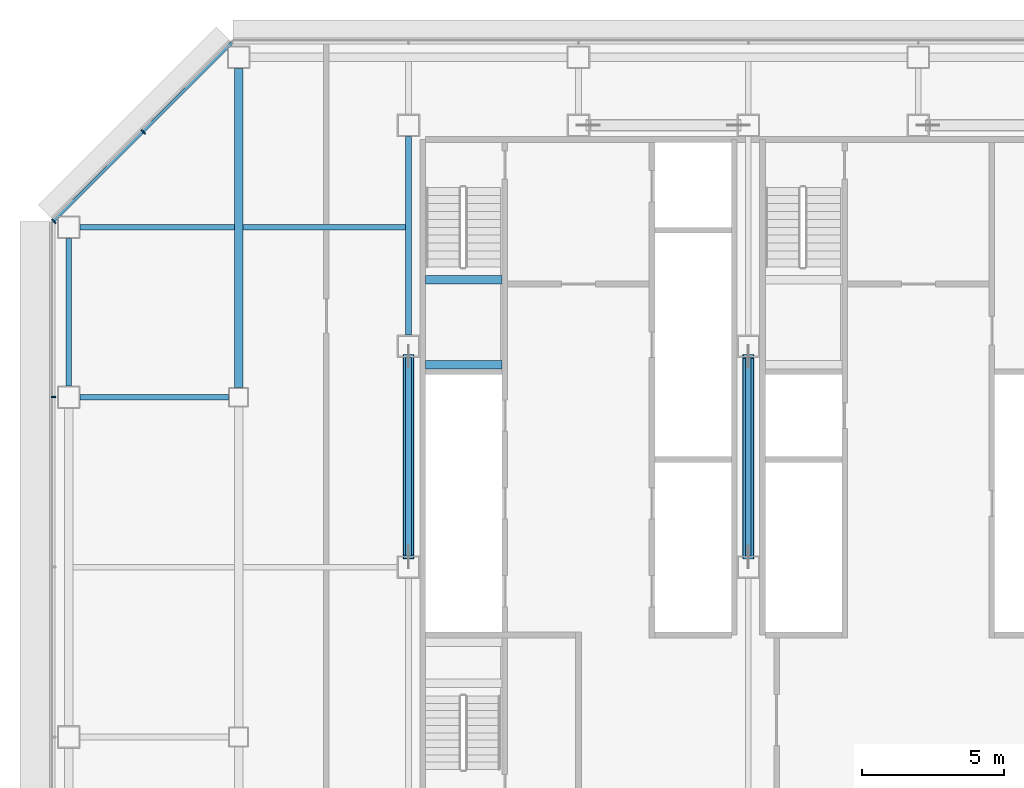
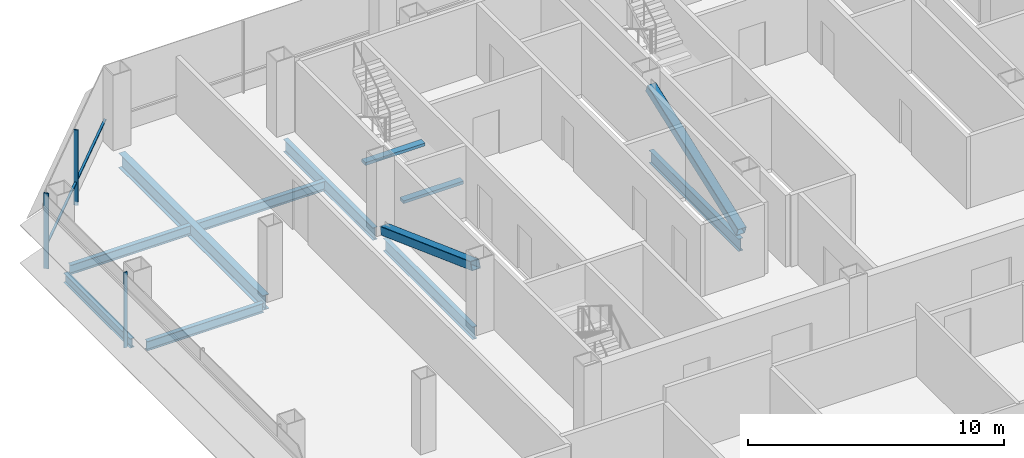
# One storey, part 11 of 25: 10 beams, 6 members, 2 elements without a shape of their own.
"""IFC4 building model written with IfcOpenShell, lengths in metres."""

from ifc_helpers import new_model, si_unit, direction, frame, origin, origin_2d, place, context, subcontext, project, spatial, rectangle, hollow_rectangle, i_section, extrude, material, material_profile, profile_set, type_object, element, aggregate, save


model = new_model("IFC4")

# Units and contexts
model_context = context("Model", 3, precision=1e-05, world=origin(), true_north=direction((0.0, 1.0)))
body_context = subcontext(model_context, "Body", "Model", "MODEL_VIEW")
ifc_project = project(units=[si_unit("LENGTHUNIT", "METRE"), si_unit("AREAUNIT", "SQUARE_METRE"), si_unit("VOLUMEUNIT", "CUBIC_METRE"), si_unit("PLANEANGLEUNIT", "RADIAN"), si_unit("MASSUNIT", "GRAM", prefix="KILO")], contexts=[model_context])

# Site, building, storey
site_placement = place(None, origin())
site = spatial("IfcSite", under=ifc_project, at=site_placement, CompositionType="ELEMENT")
building_placement = place(site_placement, origin())
building = spatial("IfcBuilding", under=site, at=building_placement, Name="Sorahane Residences", CompositionType="ELEMENT")
storey_placement = place(building_placement, frame((0.0, 0.0, 99.800048828125)))
storey = spatial("IfcBuildingStorey", under=building, at=storey_placement, Name="L21", CompositionType="ELEMENT", Elevation=99.800048828125)

# Members
ifc_material_1 = material(Name="Steel Q355B", Category="steel")
ifc_material_profile_1 = material_profile(ifc_material_1, hollow_rectangle(XDim=0.39990234375, YDim=0.39990234375, WallThickness=0.02001953125, InnerFilletRadius=0.010009765625, OuterFilletRadius=0.030029296875, at=origin_2d()), Name="RHS 400x400x20")
ifc_profile_set_1 = profile_set([ifc_material_profile_1], Name="Steel Q355B")
member_type_1 = type_object("IfcMemberType", Name="Core brace RHS 400x400x20 Q355B", PredefinedType="BRACE", material=ifc_profile_set_1)
for number, where, z_axis, x_axis, name in (
    (1, (6.0, 37.44140625, 0.184814453125), (0.0, -0.938733651637, 0.344643484319), (1.0, 0.0, 0.0), "Core brace L21 x6-2"),
    (2, (18.0, 30.358642578125, 0.184814453125), (0.0, 0.938733651637, 0.344643484319), (-1.0, 0.0, 0.0), "Core brace L21 x18-1"),
):
    element("IfcMember", number, at=place(storey_placement, frame(where, z_axis=z_axis, x_axis=x_axis)), inside=storey, type_object=member_type_1, Name=name, PredefinedType="BRACE", context=body_context, shape_type="SweptSolid", body=[
        extrude(hollow_rectangle(XDim=0.39990234375, YDim=0.39990234375, WallThickness=0.02001953125, InnerFilletRadius=0.010009765625, OuterFilletRadius=0.030029296875, at=origin_2d()), origin(), (0.0, 0.0, 1.0), 7.544921875),
    ])

# Curtain wall, member
ifc_material_2 = material(Name="Dark low-e glass and black anodised aluminium", Category="aluminium")
curtain_wall_type_1 = type_object("IfcCurtainWallType", Name="Curtain wall CW-1 Typical unitised wall", PredefinedType="NOTDEFINED", material=ifc_material_2)
curtain_wall_1_placement = place(storey_placement, origin())
curtain_wall_1 = element("IfcCurtainWall", 3, at=curtain_wall_1_placement, inside=storey, type_object=curtain_wall_type_1, Name="CW-1 curtain wall L21 W1", PredefinedType="NOTDEFINED")
ifc_material_3 = material(Name="Black anodised aluminium", Category="aluminium")
ifc_material_profile_2 = material_profile(ifc_material_3, rectangle(XDim=0.159912109375, YDim=0.050048828125, at=origin_2d()), Name="Curtain wall mullion CW-1 black anodised aluminium 50x160")
ifc_profile_set_2 = profile_set([ifc_material_profile_2], Name="Black anodised aluminium")
member_type_2 = type_object("IfcMemberType", Name="Curtain wall mullion CW-1 black anodised aluminium 50x160", PredefinedType="MULLION", material=ifc_profile_set_2)
member_1_placement = place(storey_placement, frame((-6.5400390625, 36.0, -0.179931640625), z_axis=(0.0, 0.0, 1.0), x_axis=(-1.0, 0.0, 0.0)))
member_1 = element("IfcMember", 4, at=member_1_placement, type_object=member_type_2, Name="CW-1 mullion L21 W1.2", PredefinedType="MULLION", context=body_context, shape_type="SweptSolid", body=[
    extrude(rectangle(XDim=0.159912109375, YDim=0.050048828125, at=origin_2d()), origin(), (0.0, 0.0, 1.0), 3.599853515625),
])
aggregate(curtain_wall_1, [member_1])

# Curtain wall, members
ifc_material_4 = material(Name="Dark low-e glass and black anodised aluminium", Category="aluminium")
curtain_wall_type_2 = type_object("IfcCurtainWallType", Name="Curtain wall CW-2 Chamfer unitised wall", PredefinedType="NOTDEFINED", material=ifc_material_4)
curtain_wall_2_placement = place(storey_placement, origin())
curtain_wall_2 = element("IfcCurtainWall", 5, at=curtain_wall_2_placement, inside=storey, type_object=curtain_wall_type_2, Name="CW-2 curtain wall L21 NW1", PredefinedType="NOTDEFINED")
ifc_material_5 = material(Name="Black anodised aluminium", Category="aluminium")
ifc_material_profile_3 = material_profile(ifc_material_5, rectangle(XDim=0.199951171875, YDim=0.050048828125, at=origin_2d()), Name="Curtain wall mullion CW-2 black anodised aluminium 50x200")
ifc_profile_set_3 = profile_set([ifc_material_profile_3], Name="Black anodised aluminium")
member_type_3 = type_object("IfcMemberType", Name="Curtain wall mullion CW-2 black anodised aluminium 50x200", PredefinedType="MULLION", material=ifc_profile_set_3)
member_2_placement = place(storey_placement, frame((-3.36767578125, 45.36767578125, -0.179931640625), z_axis=(0.0, 0.0, 1.0), x_axis=(-0.707106781187, 0.707106781187, 0.0)))
member_2 = element("IfcMember", 6, at=member_2_placement, type_object=member_type_3, Name="CW-2 mullion L21 NW1.2", PredefinedType="MULLION", context=body_context, shape_type="SweptSolid", body=[
    extrude(rectangle(XDim=0.199951171875, YDim=0.050048828125, at=origin_2d()), origin(), (0.0, 0.0, 1.0), 3.599853515625),
])
member_3_placement = place(storey_placement, frame((-6.525634765625, 42.209716796875, -0.179931640625), z_axis=(0.0, 0.0, 1.0), x_axis=(-0.707106781187, 0.707106781187, 0.0)))
member_3 = element("IfcMember", 7, at=member_3_placement, type_object=member_type_3, Name="CW-2 mullion L21 NW1.3", PredefinedType="MULLION", context=body_context, shape_type="SweptSolid", body=[
    extrude(rectangle(XDim=0.199951171875, YDim=0.050048828125, at=origin_2d()), origin(), (0.0, 0.0, 1.0), 3.599853515625),
])
ifc_material_6 = material(Name="Black anodised aluminium", Category="aluminium")
ifc_material_profile_4 = material_profile(ifc_material_6, rectangle(XDim=0.10009765625, YDim=0.06005859375, at=origin_2d()), Name="Curtain wall transom CW-2 black anodised aluminium 60x100")
ifc_profile_set_4 = profile_set([ifc_material_profile_4], Name="Black anodised aluminium")
member_type_4 = type_object("IfcMemberType", Name="Curtain wall transom CW-2 black anodised aluminium 60x100", PredefinedType="USERDEFINED", material=ifc_profile_set_4)
member_4_placement = place(storey_placement, frame((-0.234375, 48.51513671875, 0.89990234375), z_axis=(-0.707106781187, -0.707106781187, 0.0), x_axis=(0.707106781187, -0.707106781187, 0.0)))
member_4 = element("IfcMember", 8, at=member_4_placement, type_object=member_type_4, Name="CW-2 transom L21 NW1", ObjectType="TRANSOM", PredefinedType="USERDEFINED", context=body_context, shape_type="SweptSolid", body=[
    extrude(rectangle(XDim=0.10009765625, YDim=0.06005859375, at=origin_2d()), origin(), (0.0, 0.0, 1.0), 8.88232421875),
])
aggregate(curtain_wall_2, [member_2, member_3, member_4])

# Beams
ifc_material_7 = material(Name="Concrete C40", Category="concrete")
ifc_material_profile_5 = material_profile(ifc_material_7, rectangle(XDim=0.300048828125, YDim=0.139892578125, at=origin_2d()), Name="300x140")
ifc_profile_set_5 = profile_set([ifc_material_profile_5], Name="Concrete C40")
beam_type_1 = type_object("IfcBeamType", Name="RC landing beam 300 x 140 Concrete C40", PredefinedType="BEAM", material=ifc_profile_set_5)
for number, where, z_axis, x_axis, name in (
    (9, (6.60009765625, 37.14990234375, 1.530029296875), (1.0, 0.0, 0.0), (0.0, 1.0, 0.0), "Landing beam"),
    (10, (6.60009765625, 40.14990234375, 1.530029296875), (1.0, 0.0, 0.0), (0.0, 1.0, 0.0), "Landing beam"),
):
    element("IfcBeam", number, at=place(storey_placement, frame(where, z_axis=z_axis, x_axis=x_axis)), inside=storey, type_object=beam_type_1, Name=name, PredefinedType="BEAM", context=body_context, shape_type="SweptSolid", body=[
        extrude(rectangle(XDim=0.300048828125, YDim=0.139892578125, at=origin_2d()), origin(), (0.0, 0.0, 1.0), 2.699951171875),
    ])
ifc_material_8 = material(Name="Steel Q355B", Category="steel")
ifc_material_profile_6 = material_profile(ifc_material_8, i_section(OverallWidth=0.199951171875, OverallDepth=0.449951171875, WebThickness=0.009033203125, FlangeThickness=0.013916015625, FilletRadius=0.02001953125, at=origin_2d()), Name="HN 450x200x9x14")
ifc_profile_set_6 = profile_set([ifc_material_profile_6], Name="Steel Q355B")
beam_type_2 = type_object("IfcBeamType", Name="Steel floor beam HN 450x200x9x14 Q355B", PredefinedType="BEAM", material=ifc_profile_set_6)
beam_1_placement = place(storey_placement, frame((-5.60009765625, 36.0, -0.405029296875), z_axis=(1.0, 0.0, 0.0), x_axis=(0.0, 1.0, 0.0)))
element("IfcBeam", 11, at=beam_1_placement, inside=storey, type_object=beam_type_2, Name="Beam L21 013", PredefinedType="BEAM", context=body_context, shape_type="SweptSolid", body=[
    extrude(i_section(OverallWidth=0.199951171875, OverallDepth=0.449951171875, WebThickness=0.009033203125, FlangeThickness=0.013916015625, FilletRadius=0.02001953125, at=origin_2d()), origin(), (0.0, 0.0, 1.0), 5.25),
])
beam_2_placement = place(storey_placement, frame((-6.0, 36.39990234375, -0.405029296875), z_axis=(0.0, 1.0, 0.0), x_axis=(-1.0, 0.0, 0.0)))
element("IfcBeam", 12, at=beam_2_placement, inside=storey, type_object=beam_type_2, Name="Beam L21 023", PredefinedType="BEAM", context=body_context, shape_type="SweptSolid", body=[
    extrude(i_section(OverallWidth=0.199951171875, OverallDepth=0.449951171875, WebThickness=0.009033203125, FlangeThickness=0.013916015625, FilletRadius=0.02001953125, at=origin_2d()), origin(), (0.0, 0.0, 1.0), 5.2001953125),
])
beam_3_placement = place(storey_placement, frame((-5.60009765625, 42.0, -0.405029296875), z_axis=(1.0, 0.0, 0.0), x_axis=(0.0, 1.0, 0.0)))
element("IfcBeam", 13, at=beam_3_placement, inside=storey, type_object=beam_type_2, Name="Beam L21 089", PredefinedType="BEAM", context=body_context, shape_type="SweptSolid", body=[
    extrude(i_section(OverallWidth=0.199951171875, OverallDepth=0.449951171875, WebThickness=0.009033203125, FlangeThickness=0.013916015625, FilletRadius=0.02001953125, at=origin_2d()), origin(), (0.0, 0.0, 1.0), 5.4501953125),
])
beam_4_placement = place(storey_placement, frame((0.14990234375, 42.0, -0.405029296875), z_axis=(1.0, 0.0, 0.0), x_axis=(0.0, 1.0, 0.0)))
element("IfcBeam", 14, at=beam_4_placement, inside=storey, type_object=beam_type_2, Name="Beam L21 090", PredefinedType="BEAM", context=body_context, shape_type="SweptSolid", body=[
    extrude(i_section(OverallWidth=0.199951171875, OverallDepth=0.449951171875, WebThickness=0.009033203125, FlangeThickness=0.013916015625, FilletRadius=0.02001953125, at=origin_2d()), origin(), (0.0, 0.0, 1.0), 5.75),
])
ifc_material_9 = material(Name="Steel Q355B", Category="steel")
ifc_material_profile_7 = material_profile(ifc_material_9, i_section(OverallWidth=0.199951171875, OverallDepth=0.60009765625, WebThickness=0.010986328125, FlangeThickness=0.01708984375, FilletRadius=0.02392578125, at=origin_2d()), Name="HN 600x200x11x17")
ifc_profile_set_7 = profile_set([ifc_material_profile_7], Name="Steel Q355B")
beam_type_3 = type_object("IfcBeamType", Name="Steel floor beam HN 600x200x11x17 Q355B", PredefinedType="BEAM", material=ifc_profile_set_7)
for number, where, z_axis, x_axis, name in (
    (15, (6.0, 30.39990234375, -0.47998046875), (0.0, 1.0, 0.0), (-1.0, 0.0, 0.0), "Beam L21 031"),
    (16, (6.0, 38.199951171875, -0.47998046875), (0.0, 1.0, 0.0), (-1.0, 0.0, 0.0), "Beam L21 032"),
    (17, (18.0, 30.39990234375, -0.47998046875), (0.0, 1.0, 0.0), (-1.0, 0.0, 0.0), "Beam L21 039"),
):
    element("IfcBeam", number, at=place(storey_placement, frame(where, z_axis=z_axis, x_axis=x_axis)), inside=storey, type_object=beam_type_3, Name=name, PredefinedType="BEAM", context=body_context, shape_type="SweptSolid", body=[
        extrude(i_section(OverallWidth=0.199951171875, OverallDepth=0.60009765625, WebThickness=0.010986328125, FlangeThickness=0.01708984375, FilletRadius=0.02392578125, at=origin_2d()), origin(), (0.0, 0.0, 1.0), 7.0),
    ])
ifc_material_10 = material(Name="Steel Q355B", Category="steel")
ifc_material_profile_8 = material_profile(ifc_material_10, i_section(OverallWidth=0.300048828125, OverallDepth=0.699951171875, WebThickness=0.012939453125, FlangeThickness=0.02392578125, FilletRadius=0.028076171875, at=origin_2d()), Name="HN 700x300x13x24")
ifc_profile_set_8 = profile_set([ifc_material_profile_8], Name="Steel Q355B")
beam_type_4 = type_object("IfcBeamType", Name="Steel floor beam HN 700x300x13x24 Q355B", PredefinedType="BEAM", material=ifc_profile_set_8)
beam_5_placement = place(storey_placement, frame((0.0, 36.35009765625, -0.530029296875), z_axis=(0.0, 1.0, 0.0), x_axis=(-1.0, 0.0, 0.0)))
element("IfcBeam", 18, at=beam_5_placement, inside=storey, type_object=beam_type_4, Name="Beam L21 027", PredefinedType="BEAM", context=body_context, shape_type="SweptSolid", body=[
    extrude(i_section(OverallWidth=0.300048828125, OverallDepth=0.699951171875, WebThickness=0.012939453125, FlangeThickness=0.02392578125, FilletRadius=0.028076171875, at=origin_2d()), origin(), (0.0, 0.0, 1.0), 11.25),
])

save(model, "model.ifc")
